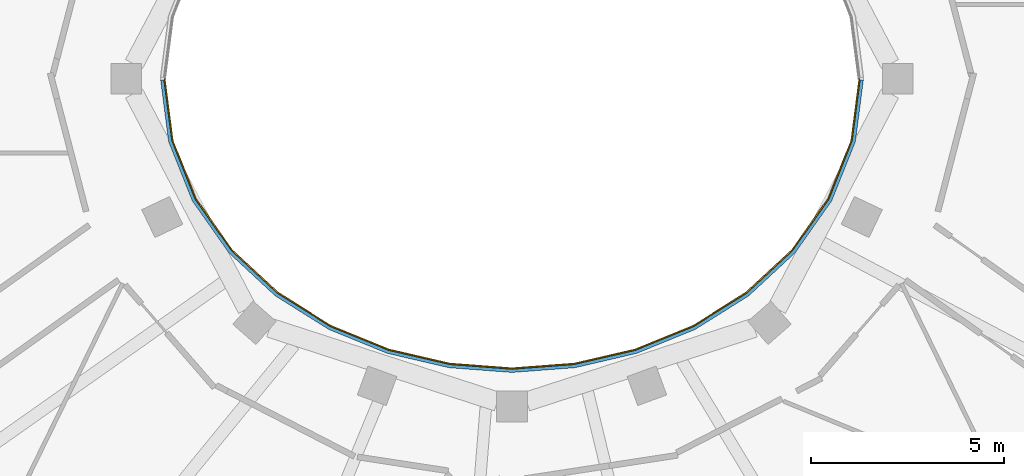
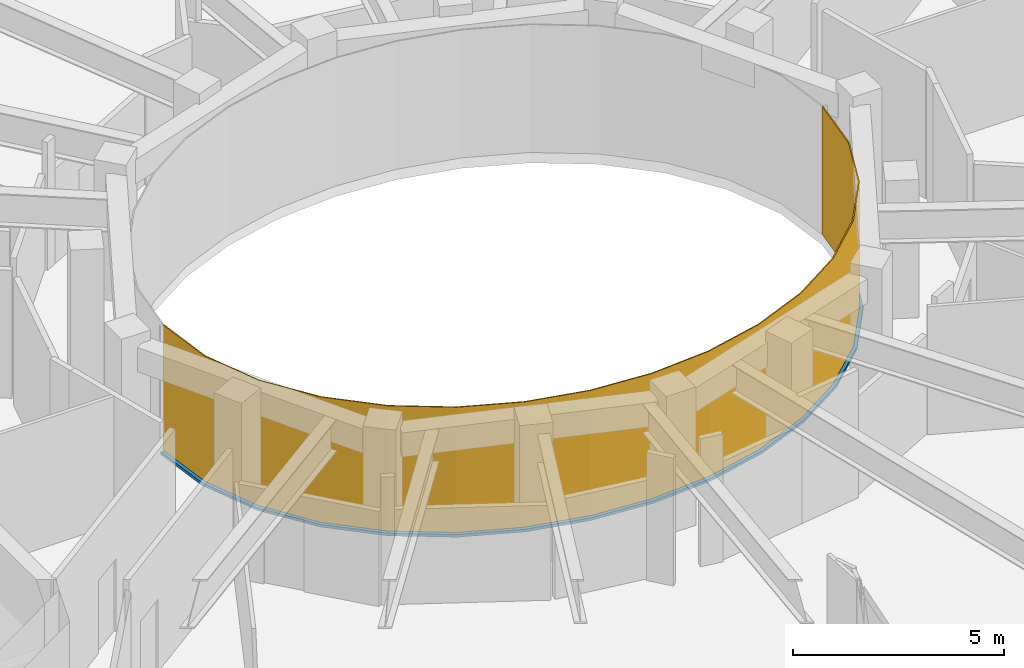
# One storey, part 13 of 20: 1 curtain wall, 1 member.
"""IFC4 building model written with IfcOpenShell, lengths in metres."""

from ifc_helpers import new_model, si_unit, direction, frame, origin, place, context, subcontext, project, spatial, polyline, outline, extrude, material, layer, layer_set, type_object, element, aggregate, save


model = new_model("IFC4")

# Units and contexts
model_context = context("Model", 3, precision=1e-05, world=origin(), true_north=direction((0.0, 1.0)))
body_context = subcontext(model_context, "Body", "Model", "MODEL_VIEW")
ifc_project = project(units=[si_unit("LENGTHUNIT", "METRE"), si_unit("AREAUNIT", "SQUARE_METRE"), si_unit("VOLUMEUNIT", "CUBIC_METRE"), si_unit("PLANEANGLEUNIT", "RADIAN"), si_unit("MASSUNIT", "GRAM", prefix="KILO")], contexts=[model_context])

# Member
ifc_material_1 = material(Name="Steel S355 fire-resisting frame", Category="steel")
member_type = type_object("IfcMemberType", Name="ENV-TRANSOM-W", PredefinedType="USERDEFINED", material=ifc_material_1)
site_placement = place(None, origin())
building_placement = place(site_placement, origin())
storey_placement = place(building_placement, frame((0.0, 0.0, 323.0)))
member_placement = place(storey_placement, origin())
member = element("IfcMember", 1, at=member_placement, type_object=member_type, Name="Transom W well 17-01", ObjectType="TRANSOM", PredefinedType="USERDEFINED", context=body_context, shape_type="SweptSolid", body=[
    extrude(outline(polyline([(-9.119384765625, -0.02783203125), (-8.910400390625, -1.63623046875), (-8.29833984375, -3.167236328125), (-7.35107421875, -4.5146484375), (-6.1455078125, -5.6337890625), (-4.75341796875, -6.50634765625), (-3.233642578125, -7.127685546875), (-1.635498046875, -7.498779296875), (0.0, -7.622314453125), (1.635498046875, -7.498779296875), (3.233642578125, -7.127685546875), (4.75341796875, -6.50634765625), (6.1455078125, -5.6337890625), (7.35107421875, -4.5146484375), (8.29833984375, -3.167236328125), (8.910400390625, -1.63623046875), (9.119384765625, -0.02783203125), (9.02880859375, -0.02783203125), (8.822509765625, -1.61328125), (8.21875, -3.124267578125), (7.282958984375, -4.455078125), (6.090576171875, -5.56201171875), (4.712158203125, -6.426025390625), (3.206298828125, -7.04150390625), (1.621826171875, -7.40966796875), (0.0, -7.531982421875), (-1.621826171875, -7.40966796875), (-3.206298828125, -7.04150390625), (-4.712158203125, -6.426025390625), (-6.090576171875, -5.56201171875), (-7.282958984375, -4.455078125), (-8.21875, -3.124267578125), (-8.822509765625, -1.61328125), (-9.02880859375, -0.02783203125), (-9.119384765625, -0.02783203125)])), origin(), (0.0, 0.0, 1.0), 0.080078125),
])

# Site, building, storey
site = spatial("IfcSite", under=ifc_project, at=site_placement, CompositionType="ELEMENT")
building = spatial("IfcBuilding", under=site, at=building_placement, Name="Noorbagh Ring Tower", CompositionType="ELEMENT")
storey = spatial("IfcBuildingStorey", under=building, at=storey_placement, Name="L70", CompositionType="ELEMENT", Elevation=323.0)

# Curtain wall
ifc_material_2 = material(Name="Glass fire-resisting E60 laminated", Category="glass")
ifc_layer = layer(ifc_material_2, 0.031982421875)
ifc_layer_set = layer_set([ifc_layer], Name="Glass fire-resisting E60 laminated")
curtain_wall_type = type_object("IfcCurtainWallType", Name="ENV-CW-W", PredefinedType="NOTDEFINED", material=ifc_layer_set)
curtain_wall_placement = place(storey_placement, origin())
curtain_wall = element("IfcCurtainWall", 2, at=curtain_wall_placement, inside=storey, type_object=curtain_wall_type, Name="Curtain wall W W17", PredefinedType="NOTDEFINED", context=body_context, shape_type="SweptSolid", body=[
    extrude(outline(polyline([(-9.0322265625, 0.0), (-8.822509765625, -1.61328125), (-8.21875, -3.124267578125), (-7.282958984375, -4.455078125), (-6.090576171875, -5.56201171875), (-4.712158203125, -6.426025390625), (-3.206298828125, -7.04150390625), (-1.621826171875, -7.40966796875), (0.0, -7.531982421875), (1.621826171875, -7.40966796875), (3.206298828125, -7.04150390625), (4.712158203125, -6.426025390625), (6.090576171875, -5.56201171875), (7.282958984375, -4.455078125), (8.21875, -3.124267578125), (8.822509765625, -1.61328125), (9.0322265625, 0.0), (9.0, 0.0), (8.79150390625, -1.605224609375), (8.1904296875, -3.10888671875), (7.2587890625, -4.43408203125), (6.071044921875, -5.53662109375), (4.697509765625, -6.3974609375), (3.196533203125, -7.010986328125), (1.6171875, -7.3779296875), (0.0, -7.5), (-1.6171875, -7.3779296875), (-3.196533203125, -7.010986328125), (-4.697509765625, -6.3974609375), (-6.071044921875, -5.53662109375), (-7.2587890625, -4.43408203125), (-8.1904296875, -3.10888671875), (-8.79150390625, -1.605224609375), (-9.0, 0.0), (-9.0322265625, 0.0)])), origin(), (0.0, 0.0, 1.0), 3.699951171875),
])

aggregate(curtain_wall, [member])

save(model, "model.ifc")
